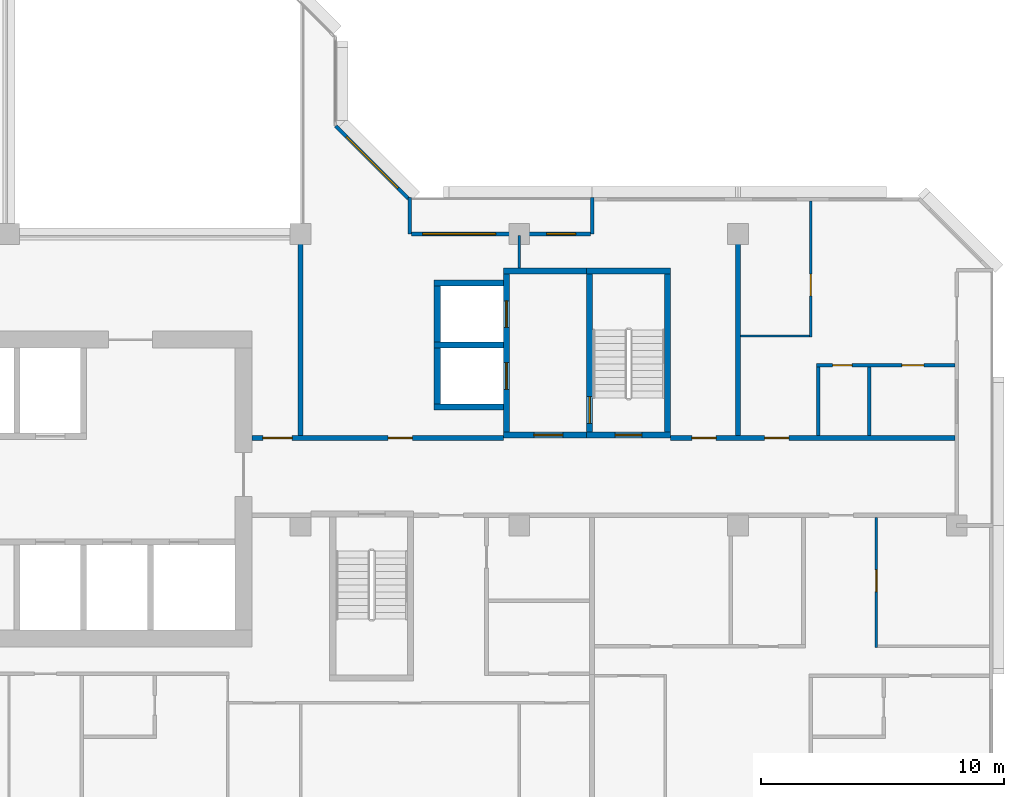
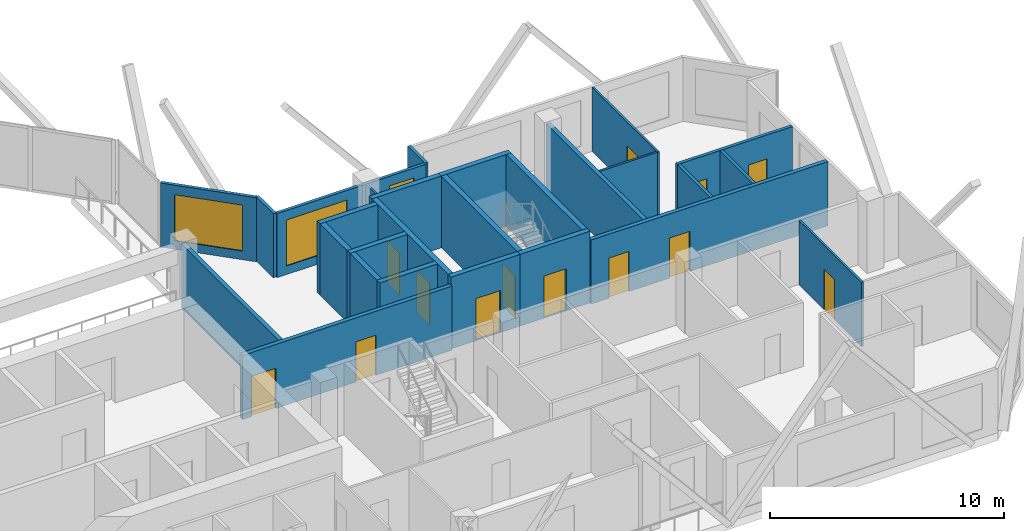
# One storey, part 7 of 15: 27 walls, 13 doors, 3 windows, 16 openings.
"""IFC4 building model written with IfcOpenShell, lengths in metres."""

from ifc_helpers import new_model, si_unit, direction, frame, frame_2d, origin, place, context, subcontext, project, spatial, rectangle, extrude, material, layer, layer_set, type_object, element, fill, save


model = new_model("IFC4")

# Units and contexts
model_context = context("Model", 3, precision=1e-05, world=origin(), true_north=direction((0.0, 1.0)))
body_context = subcontext(model_context, "Body", "Model", "MODEL_VIEW")
ifc_project = project(units=[si_unit("LENGTHUNIT", "METRE"), si_unit("AREAUNIT", "SQUARE_METRE"), si_unit("VOLUMEUNIT", "CUBIC_METRE"), si_unit("PLANEANGLEUNIT", "RADIAN"), si_unit("MASSUNIT", "GRAM", prefix="KILO")], contexts=[model_context])

# Site, building, storey
site_placement = place(None, origin())
site = spatial("IfcSite", under=ifc_project, at=site_placement, CompositionType="ELEMENT")
building_placement = place(site_placement, origin())
building = spatial("IfcBuilding", under=site, at=building_placement, Name="Chenar Terraces", CompositionType="ELEMENT")
storey_placement = place(building_placement, frame((0.0, 0.0, 211.64990234375)))
storey = spatial("IfcBuildingStorey", under=building, at=storey_placement, Name="L49", CompositionType="ELEMENT", Elevation=211.64990234375)

# Wall, opening, door
ifc_material_1 = material(Name="Concrete C60/75", Category="concrete")
ifc_layer_1 = layer(ifc_material_1, 0.25)
ifc_layer_set_1 = layer_set([ifc_layer_1], Name="Concrete C60/75")
wall_type_1 = type_object("IfcWallType", Name="Core wall 250 Concrete C60/75", PredefinedType="SHEAR", material=ifc_layer_set_1)
wall_1_placement = place(storey_placement, frame((47.77490234375, 15.72509765625, 0.0), z_axis=(0.0, 0.0, 1.0), x_axis=(1.0, 0.0, 0.0)))
wall_1 = element("IfcWall", 1, at=wall_1_placement, inside=storey, type_object=wall_type_1, Name="Core wall ST3_S L49", PredefinedType="SHEAR", context=body_context, shape_type="SweptSolid", body=[
    extrude(rectangle(XDim=3.4501953125, YDim=0.25, at=frame_2d((1.72509765625, 0.0))), origin(), (0.0, 0.0, 1.0), 3.75),
])
opening_1_placement = place(wall_1_placement, frame((1.175048828125, 0.0, 0.0)))
opening_1 = element("IfcOpeningElement", 2, at=opening_1_placement, cuts=wall_1, Name="Opening DL49-C8", PredefinedType="OPENING", context=body_context, shape_type="SweptSolid", body=[
    extrude(rectangle(XDim=1.10009765625, YDim=2.199951171875, at=frame_2d((0.550048828125, 1.10009765625))), frame((0.0, 0.135009765625, 0.0), z_axis=(0.0, -1.0, 0.0), x_axis=(1.0, 0.0, 0.0)), (0.0, 0.0, 1.0), 0.27001953125),
])
ifc_material_2 = material(Name="Steel-framed fire-resisting door leaf", Category="steel")
door_type_1 = type_object("IfcDoorType", Name="Stair fire door FD60 1100 x 2200", OperationType="SINGLE_SWING_LEFT", PredefinedType="DOOR", material=ifc_material_2)
door_1_placement = place(opening_1_placement, frame((1.10009765625, 0.0, 0.0), z_axis=(0.0, 0.0, 1.0), x_axis=(-1.0, 0.0, 0.0)))
door_1 = element("IfcDoor", 3, at=door_1_placement, inside=storey, type_object=door_type_1, Name="Stair door DL49-C8", OperationType="SINGLE_SWING_LEFT", OverallHeight=2.199951171875, OverallWidth=1.10009765625, PredefinedType="DOOR", context=body_context, shape_type="SweptSolid", body=[
    extrude(rectangle(XDim=1.10009765625, YDim=2.199951171875, at=frame_2d((0.550048828125, 1.10009765625))), frame((0.0, 0.02490234375, 0.0), z_axis=(0.0, -1.0, 0.0), x_axis=(1.0, 0.0, 0.0)), (0.0, 0.0, 1.0), 0.050048828125),
])
fill(opening_1, door_1)

# Wall
wall_2_placement = place(storey_placement, frame((47.77490234375, 22.47509765625, 0.0), z_axis=(0.0, 0.0, 1.0), x_axis=(1.0, 0.0, 0.0)))
element("IfcWall", 4, at=wall_2_placement, inside=storey, type_object=wall_type_1, Name="Core wall ST3_N L49", PredefinedType="SHEAR", context=body_context, shape_type="SweptSolid", body=[
    extrude(rectangle(XDim=3.4501953125, YDim=0.25, at=frame_2d((1.72509765625, 0.0))), origin(), (0.0, 0.0, 1.0), 3.75),
])

# Wall, opening, door
wall_3_placement = place(storey_placement, frame((47.89990234375, 15.85009765625, 0.0), z_axis=(0.0, 0.0, 1.0), x_axis=(0.0, 1.0, 0.0)))
wall_3 = element("IfcWall", 5, at=wall_3_placement, inside=storey, type_object=wall_type_1, Name="Core wall ST3_W L49", PredefinedType="SHEAR", context=body_context, shape_type="SweptSolid", body=[
    extrude(rectangle(XDim=6.5, YDim=0.25, at=frame_2d((3.25, 0.0))), origin(), (0.0, 0.0, 1.0), 3.75),
])
opening_2_placement = place(wall_3_placement, frame((0.35009765625, 0.0, 0.0)))
opening_2 = element("IfcOpeningElement", 6, at=opening_2_placement, cuts=wall_3, Name="Opening DL49-C11", PredefinedType="OPENING", context=body_context, shape_type="SweptSolid", body=[
    extrude(rectangle(XDim=1.10009765625, YDim=2.199951171875, at=frame_2d((0.550048828125, 1.10009765625))), frame((0.0, 0.135009765625, 0.0), z_axis=(0.0, -1.0, 0.0), x_axis=(1.0, 0.0, 0.0)), (0.0, 0.0, 1.0), 0.27001953125),
])
door_2_placement = place(opening_2_placement, frame((1.10009765625, 0.0, 0.0), z_axis=(0.0, 0.0, 1.0), x_axis=(-1.0, 0.0, 0.0)))
door_2 = element("IfcDoor", 7, at=door_2_placement, inside=storey, type_object=door_type_1, Name="Stair door DL49-C11", OperationType="SINGLE_SWING_RIGHT", OverallHeight=2.199951171875, OverallWidth=1.10009765625, PredefinedType="DOOR", context=body_context, shape_type="SweptSolid", body=[
    extrude(rectangle(XDim=1.10009765625, YDim=2.199951171875, at=frame_2d((0.550048828125, 1.10009765625))), frame((0.0, 0.02490234375, 0.0), z_axis=(0.0, -1.0, 0.0), x_axis=(1.0, 0.0, 0.0)), (0.0, 0.0, 1.0), 0.050048828125),
])
fill(opening_2, door_2)

# Wall
wall_4_placement = place(storey_placement, frame((51.10009765625, 15.85009765625, 0.0), z_axis=(0.0, 0.0, 1.0), x_axis=(0.0, 1.0, 0.0)))
element("IfcWall", 8, at=wall_4_placement, inside=storey, type_object=wall_type_1, Name="Core wall ST3_E L49", PredefinedType="SHEAR", context=body_context, shape_type="SweptSolid", body=[
    extrude(rectangle(XDim=6.5, YDim=0.25, at=frame_2d((3.25, 0.0))), origin(), (0.0, 0.0, 1.0), 3.75),
])

# Wall, opening, door
wall_5_placement = place(storey_placement, frame((44.35009765625, 15.72509765625, 0.0), z_axis=(0.0, 0.0, 1.0), x_axis=(1.0, 0.0, 0.0)))
wall_5 = element("IfcWall", 9, at=wall_5_placement, inside=storey, type_object=wall_type_1, Name="Core wall F3_LS L49", PredefinedType="SHEAR", context=body_context, shape_type="SweptSolid", body=[
    extrude(rectangle(XDim=3.4248046875, YDim=0.25, at=frame_2d((1.71240234375, 0.0))), origin(), (0.0, 0.0, 1.0), 3.75),
])
opening_3_placement = place(wall_5_placement, frame((1.25, 0.0, 0.0)))
opening_3 = element("IfcOpeningElement", 10, at=opening_3_placement, cuts=wall_5, Name="Opening DL49-C10", PredefinedType="OPENING", context=body_context, shape_type="SweptSolid", body=[
    extrude(rectangle(XDim=1.199951171875, YDim=2.199951171875, at=frame_2d((0.60009765625, 1.10009765625))), frame((0.0, 0.135009765625, 0.0), z_axis=(0.0, -1.0, 0.0), x_axis=(1.0, 0.0, 0.0)), (0.0, 0.0, 1.0), 0.27001953125),
])
ifc_material_3 = material(Name="Steel-framed fire-resisting door leaf", Category="steel")
door_type_2 = type_object("IfcDoorType", Name="Lobby fire door FD60 1200 x 2200", OperationType="SINGLE_SWING_LEFT", PredefinedType="DOOR", material=ifc_material_3)
door_3_placement = place(opening_3_placement, origin())
door_3 = element("IfcDoor", 11, at=door_3_placement, inside=storey, type_object=door_type_2, Name="Core door DL49-C10", OperationType="SINGLE_SWING_RIGHT", OverallHeight=2.199951171875, OverallWidth=1.199951171875, PredefinedType="DOOR", context=body_context, shape_type="SweptSolid", body=[
    extrude(rectangle(XDim=1.199951171875, YDim=2.199951171875, at=frame_2d((0.60009765625, 1.10009765625))), frame((0.0, 0.02490234375, 0.0), z_axis=(0.0, -1.0, 0.0), x_axis=(1.0, 0.0, 0.0)), (0.0, 0.0, 1.0), 0.050048828125),
])
fill(opening_3, door_3)

# Wall
wall_6_placement = place(storey_placement, frame((44.35009765625, 22.47509765625, 0.0), z_axis=(0.0, 0.0, 1.0), x_axis=(1.0, 0.0, 0.0)))
element("IfcWall", 12, at=wall_6_placement, inside=storey, type_object=wall_type_1, Name="Core wall F3_LN L49", PredefinedType="SHEAR", context=body_context, shape_type="SweptSolid", body=[
    extrude(rectangle(XDim=3.4248046875, YDim=0.25, at=frame_2d((1.71240234375, 0.0))), origin(), (0.0, 0.0, 1.0), 3.75),
])

# Wall, openings, doors
wall_7_placement = place(storey_placement, frame((44.47509765625, 15.85009765625, 0.0), z_axis=(0.0, 0.0, 1.0), x_axis=(0.0, 1.0, 0.0)))
wall_7 = element("IfcWall", 13, at=wall_7_placement, inside=storey, type_object=wall_type_1, Name="Core wall F3_LW L49", PredefinedType="SHEAR", context=body_context, shape_type="SweptSolid", body=[
    extrude(rectangle(XDim=6.5, YDim=0.25, at=frame_2d((3.25, 0.0))), origin(), (0.0, 0.0, 1.0), 3.75),
])
opening_4_placement = place(wall_7_placement, frame((1.75, 0.0, 0.0)))
opening_4 = element("IfcOpeningElement", 14, at=opening_4_placement, cuts=wall_7, Name="Opening DL49-LD8", PredefinedType="OPENING", context=body_context, shape_type="SweptSolid", body=[
    extrude(rectangle(XDim=1.10009765625, YDim=2.199951171875, at=frame_2d((0.550048828125, 1.10009765625))), frame((0.0, 0.135009765625, 0.0), z_axis=(0.0, -1.0, 0.0), x_axis=(1.0, 0.0, 0.0)), (0.0, 0.0, 1.0), 0.27001953125),
])
opening_5_placement = place(wall_7_placement, frame((4.300048828125, 0.0, 0.0)))
opening_5 = element("IfcOpeningElement", 15, at=opening_5_placement, cuts=wall_7, Name="Opening DL49-LD9", PredefinedType="OPENING", context=body_context, shape_type="SweptSolid", body=[
    extrude(rectangle(XDim=1.10009765625, YDim=2.199951171875, at=frame_2d((0.550048828125, 1.10009765625))), frame((0.0, 0.135009765625, 0.0), z_axis=(0.0, -1.0, 0.0), x_axis=(1.0, 0.0, 0.0)), (0.0, 0.0, 1.0), 0.27001953125),
])
ifc_material_4 = material(Name="Stainless steel", Category="steel")
door_type_3 = type_object("IfcDoorType", Name="Lift landing door 1100 x 2200 sliding", OperationType="DOUBLE_DOOR_SLIDING", PredefinedType="DOOR", material=ifc_material_4)
door_4_placement = place(opening_4_placement, origin())
door_4 = element("IfcDoor", 16, at=door_4_placement, inside=storey, type_object=door_type_3, Name="Landing door F3", OperationType="DOUBLE_DOOR_SLIDING", OverallHeight=2.199951171875, OverallWidth=1.10009765625, PredefinedType="DOOR", context=body_context, shape_type="SweptSolid", body=[
    extrude(rectangle(XDim=1.10009765625, YDim=2.199951171875, at=frame_2d((0.550048828125, 1.10009765625))), frame((0.0, 0.02490234375, 0.0), z_axis=(0.0, -1.0, 0.0), x_axis=(1.0, 0.0, 0.0)), (0.0, 0.0, 1.0), 0.050048828125),
])
fill(opening_4, door_4)
door_5_placement = place(opening_5_placement, origin())
door_5 = element("IfcDoor", 17, at=door_5_placement, inside=storey, type_object=door_type_3, Name="Landing door F4", OperationType="DOUBLE_DOOR_SLIDING", OverallHeight=2.199951171875, OverallWidth=1.10009765625, PredefinedType="DOOR", context=body_context, shape_type="SweptSolid", body=[
    extrude(rectangle(XDim=1.10009765625, YDim=2.199951171875, at=frame_2d((0.550048828125, 1.10009765625))), frame((0.0, 0.02490234375, 0.0), z_axis=(0.0, -1.0, 0.0), x_axis=(1.0, 0.0, 0.0)), (0.0, 0.0, 1.0), 0.050048828125),
])
fill(opening_5, door_5)

# Walls
for number, where, z_axis, x_axis, name in (
    (18, (41.5, 16.875, 0.0), (0.0, 0.0, 1.0), (1.0, 0.0, 0.0), "Core wall F3_SS L49"),
    (19, (41.5, 19.425048828125, 0.0), (0.0, 0.0, 1.0), (1.0, 0.0, 0.0), "Core wall F3_SM L49"),
    (20, (41.5, 21.97509765625, 0.0), (0.0, 0.0, 1.0), (1.0, 0.0, 0.0), "Core wall F4_SN L49"),
):
    element("IfcWall", number, at=place(storey_placement, frame(where, z_axis=z_axis, x_axis=x_axis)), inside=storey, type_object=wall_type_1, Name=name, PredefinedType="SHEAR", context=body_context, shape_type="SweptSolid", body=[
        extrude(rectangle(XDim=2.85009765625, YDim=0.25, at=frame_2d((1.425048828125, 0.0))), origin(), (0.0, 0.0, 1.0), 3.75),
    ])
for number, where, z_axis, x_axis, name in (
    (21, (41.625, 17.0, 0.0), (0.0, 0.0, 1.0), (0.0, 1.0, 0.0), "Core wall F3_SW L49"),
    (22, (41.625, 19.550048828125, 0.0), (0.0, 0.0, 1.0), (0.0, 1.0, 0.0), "Core wall F4_SW L49"),
):
    element("IfcWall", number, at=place(storey_placement, frame(where, z_axis=z_axis, x_axis=x_axis)), inside=storey, type_object=wall_type_1, Name=name, PredefinedType="SHEAR", context=body_context, shape_type="SweptSolid", body=[
        extrude(rectangle(XDim=2.300048828125, YDim=0.25, at=frame_2d((1.14990234375, 0.0))), origin(), (0.0, 0.0, 1.0), 3.75),
    ])

# Wall, openings, doors
ifc_material_5 = material(Name="Gypsum board on steel studs with fire boards", Category="steel")
ifc_layer_2 = layer(ifc_material_5, 0.199951171875)
ifc_layer_set_2 = layer_set([ifc_layer_2], Name="Gypsum board on steel studs with fire boards")
wall_type_2 = type_object("IfcWallType", Name="Corridor wall 200", PredefinedType="PARTITIONING", material=ifc_layer_set_2)
wall_8_placement = place(storey_placement, frame((34.0, 15.60009765625, 0.0), z_axis=(0.0, 0.0, 1.0), x_axis=(1.0, 0.0, 0.0)))
wall_8 = element("IfcWall", 23, at=wall_8_placement, inside=storey, type_object=wall_type_2, Name="Partition L49-060", PredefinedType="PARTITIONING", context=body_context, shape_type="SweptSolid", body=[
    extrude(rectangle(XDim=10.35009765625, YDim=0.199951171875, at=frame_2d((5.175048828125, 0.0))), origin(), (0.0, 0.0, 1.0), 3.35009765625),
])
opening_6_placement = place(wall_8_placement, frame((5.60009765625, 0.0, 0.0)))
opening_6 = element("IfcOpeningElement", 24, at=opening_6_placement, cuts=wall_8, Name="Opening DL49-3", PredefinedType="OPENING", context=body_context, shape_type="SweptSolid", body=[
    extrude(rectangle(XDim=1.0, YDim=2.10009765625, at=frame_2d((0.5, 1.050048828125))), frame((0.0, 0.10986328125, 0.0), z_axis=(0.0, -1.0, 0.0), x_axis=(1.0, 0.0, 0.0)), (0.0, 0.0, 1.0), 0.219970703125),
])
opening_7_placement = place(wall_8_placement, frame((0.449951171875, 0.0, 0.0)))
opening_7 = element("IfcOpeningElement", 25, at=opening_7_placement, cuts=wall_8, Name="Opening DL49-38", PredefinedType="OPENING", context=body_context, shape_type="SweptSolid", body=[
    extrude(rectangle(XDim=1.199951171875, YDim=2.10009765625, at=frame_2d((0.60009765625, 1.050048828125))), frame((0.0, 0.10986328125, 0.0), z_axis=(0.0, -1.0, 0.0), x_axis=(1.0, 0.0, 0.0)), (0.0, 0.0, 1.0), 0.219970703125),
])
ifc_material_6 = material(Name="Steel-framed fire-resisting door leaf", Category="steel")
door_type_4 = type_object("IfcDoorType", Name="Fire door FD60 1000 x 2100", OperationType="SINGLE_SWING_LEFT", PredefinedType="DOOR", material=ifc_material_6)
door_6_placement = place(opening_6_placement, origin())
door_6 = element("IfcDoor", 26, at=door_6_placement, inside=storey, type_object=door_type_4, Name="Door DL49-3", OperationType="SINGLE_SWING_RIGHT", OverallHeight=2.10009765625, OverallWidth=1.0, PredefinedType="DOOR", context=body_context, shape_type="SweptSolid", body=[
    extrude(rectangle(XDim=1.0, YDim=2.10009765625, at=frame_2d((0.5, 1.050048828125))), frame((0.0, 0.02490234375, 0.0), z_axis=(0.0, -1.0, 0.0), x_axis=(1.0, 0.0, 0.0)), (0.0, 0.0, 1.0), 0.050048828125),
])
fill(opening_6, door_6)
ifc_material_7 = material(Name="Steel-framed fire-resisting door leaf", Category="steel")
door_type_5 = type_object("IfcDoorType", Name="Fire door FD60 1200 x 2100", OperationType="SINGLE_SWING_LEFT", PredefinedType="DOOR", material=ifc_material_7)
door_7_placement = place(opening_7_placement, origin())
door_7 = element("IfcDoor", 27, at=door_7_placement, inside=storey, type_object=door_type_5, Name="Door DL49-38", OperationType="SINGLE_SWING_RIGHT", OverallHeight=2.10009765625, OverallWidth=1.199951171875, PredefinedType="DOOR", context=body_context, shape_type="SweptSolid", body=[
    extrude(rectangle(XDim=1.199951171875, YDim=2.10009765625, at=frame_2d((0.60009765625, 1.050048828125))), frame((0.0, 0.02490234375, 0.0), z_axis=(0.0, -1.0, 0.0), x_axis=(1.0, 0.0, 0.0)), (0.0, 0.0, 1.0), 0.050048828125),
])
fill(opening_7, door_7)

# Wall
wall_9_placement = place(storey_placement, frame((36.0, 15.699951171875, 0.0), z_axis=(0.0, 0.0, 1.0), x_axis=(0.0, 1.0, 0.0)))
element("IfcWall", 28, at=wall_9_placement, inside=storey, type_object=wall_type_2, Name="Partition L49-062", PredefinedType="PARTITIONING", context=body_context, shape_type="SweptSolid", body=[
    extrude(rectangle(XDim=8.300048828125, YDim=0.199951171875, at=frame_2d((4.14990234375, 0.0))), origin(), (0.0, 0.0, 1.0), 3.35009765625),
])

# Wall, openings, doors
wall_10_placement = place(storey_placement, frame((51.22509765625, 15.60009765625, 0.0), z_axis=(0.0, 0.0, 1.0), x_axis=(1.0, 0.0, 0.0)))
wall_10 = element("IfcWall", 29, at=wall_10_placement, inside=storey, type_object=wall_type_2, Name="Partition L49-074", PredefinedType="PARTITIONING", context=body_context, shape_type="SweptSolid", body=[
    extrude(rectangle(XDim=11.700927734375, YDim=0.199951171875, at=frame_2d((5.8505859375, 0.0))), origin(), (0.0, 0.0, 1.0), 3.35009765625),
])
opening_8_placement = place(wall_10_placement, frame((3.875, 0.0, 0.0)))
opening_8 = element("IfcOpeningElement", 30, at=opening_8_placement, cuts=wall_10, Name="Opening DL49-7", PredefinedType="OPENING", context=body_context, shape_type="SweptSolid", body=[
    extrude(rectangle(XDim=1.0, YDim=2.10009765625, at=frame_2d((0.5, 1.050048828125))), frame((0.0, 0.10986328125, 0.0), z_axis=(0.0, -1.0, 0.0), x_axis=(1.0, 0.0, 0.0)), (0.0, 0.0, 1.0), 0.219970703125),
])
opening_9_placement = place(wall_10_placement, frame((0.875, 0.0, 0.0)))
opening_9 = element("IfcOpeningElement", 31, at=opening_9_placement, cuts=wall_10, Name="Opening DL49-42", PredefinedType="OPENING", context=body_context, shape_type="SweptSolid", body=[
    extrude(rectangle(XDim=1.0, YDim=2.10009765625, at=frame_2d((0.5, 1.050048828125))), frame((0.0, 0.10986328125, 0.0), z_axis=(0.0, -1.0, 0.0), x_axis=(1.0, 0.0, 0.0)), (0.0, 0.0, 1.0), 0.219970703125),
])
ifc_material_8 = material(Name="Steel-framed fire-resisting door leaf", Category="steel")
door_type_6 = type_object("IfcDoorType", Name="Fire door FD30S 1000 x 2100", OperationType="SINGLE_SWING_LEFT", PredefinedType="DOOR", material=ifc_material_8)
door_8_placement = place(opening_8_placement, origin())
door_8 = element("IfcDoor", 32, at=door_8_placement, inside=storey, type_object=door_type_6, Name="Door DL49-7", OperationType="SINGLE_SWING_LEFT", OverallHeight=2.10009765625, OverallWidth=1.0, PredefinedType="DOOR", context=body_context, shape_type="SweptSolid", body=[
    extrude(rectangle(XDim=1.0, YDim=2.10009765625, at=frame_2d((0.5, 1.050048828125))), frame((0.0, 0.02490234375, 0.0), z_axis=(0.0, -1.0, 0.0), x_axis=(1.0, 0.0, 0.0)), (0.0, 0.0, 1.0), 0.050048828125),
])
fill(opening_8, door_8)
door_9_placement = place(opening_9_placement, origin())
door_9 = element("IfcDoor", 33, at=door_9_placement, inside=storey, type_object=door_type_6, Name="Door DL49-42", OperationType="SINGLE_SWING_RIGHT", OverallHeight=2.10009765625, OverallWidth=1.0, PredefinedType="DOOR", context=body_context, shape_type="SweptSolid", body=[
    extrude(rectangle(XDim=1.0, YDim=2.10009765625, at=frame_2d((0.5, 1.050048828125))), frame((0.0, 0.02490234375, 0.0), z_axis=(0.0, -1.0, 0.0), x_axis=(1.0, 0.0, 0.0)), (0.0, 0.0, 1.0), 0.050048828125),
])
fill(opening_9, door_9)

# Wall, openings, windows
ifc_material_9 = material(Name="Aluminium framed glazing", Category="aluminium")
ifc_layer_3 = layer(ifc_material_9, 0.14990234375)
ifc_layer_set_3 = layer_set([ifc_layer_3], Name="Aluminium framed glazing")
wall_type_3 = type_object("IfcWallType", Name="Glazed loggia back wall 150", PredefinedType="SOLIDWALL", material=ifc_layer_set_3)
wall_11_placement = place(storey_placement, frame((47.925048828125, 24.0, 0.0), z_axis=(0.0, 0.0, 1.0), x_axis=(-1.0, 0.0, 0.0)))
wall_11 = element("IfcWall", 34, at=wall_11_placement, inside=storey, type_object=wall_type_3, Name="Glazed loggia back wall", PredefinedType="SOLIDWALL", context=body_context, shape_type="SweptSolid", body=[
    extrude(rectangle(XDim=7.35009765625, YDim=0.14990234375, at=frame_2d((3.675048828125, 0.0))), origin(), (0.0, 0.0, 1.0), 3.35009765625),
])
opening_10_placement = place(wall_11_placement, frame((0.60009765625, 0.0, 0.449951171875)))
opening_10 = element("IfcOpeningElement", 35, at=opening_10_placement, cuts=wall_11, Name="Opening W120x240", PredefinedType="OPENING", context=body_context, shape_type="SweptSolid", body=[
    extrude(rectangle(XDim=1.199951171875, YDim=2.39990234375, at=frame_2d((0.60009765625, 1.199951171875))), frame((0.0, 0.0849609375, 0.0), z_axis=(0.0, -1.0, 0.0), x_axis=(1.0, 0.0, 0.0)), (0.0, 0.0, 1.0), 0.169921875),
])
opening_11_placement = place(wall_11_placement, frame((3.89990234375, 0.0, 0.449951171875)))
opening_11 = element("IfcOpeningElement", 36, at=opening_11_placement, cuts=wall_11, Name="Opening W300x240", PredefinedType="OPENING", context=body_context, shape_type="SweptSolid", body=[
    extrude(rectangle(XDim=3.0, YDim=2.39990234375, at=frame_2d((1.5, 1.199951171875))), frame((0.0, 0.0849609375, 0.0), z_axis=(0.0, -1.0, 0.0), x_axis=(1.0, 0.0, 0.0)), (0.0, 0.0, 1.0), 0.169921875),
])
ifc_material_10 = material(Name="Low emissivity double glazing, aluminium frame", Category="aluminium")
window_type_1 = type_object("IfcWindowType", Name="Fixed light 1200 x 2400", PartitioningType="SINGLE_PANEL", PredefinedType="WINDOW", material=ifc_material_10)
window_1_placement = place(opening_10_placement, origin())
window_1 = element("IfcWindow", 37, at=window_1_placement, inside=storey, type_object=window_type_1, Name="Window", OverallHeight=2.39990234375, OverallWidth=1.199951171875, PartitioningType="SINGLE_PANEL", PredefinedType="WINDOW", context=body_context, shape_type="SweptSolid", body=[
    extrude(rectangle(XDim=1.199951171875, YDim=2.39990234375, at=frame_2d((0.60009765625, 1.199951171875))), frame((0.0, 0.030029296875, 0.0), z_axis=(0.0, -1.0, 0.0), x_axis=(1.0, 0.0, 0.0)), (0.0, 0.0, 1.0), 0.06005859375),
])
fill(opening_10, window_1)
ifc_material_11 = material(Name="Low emissivity double glazing, aluminium frame", Category="aluminium")
window_type_2 = type_object("IfcWindowType", Name="Fixed light 3000 x 2400", PartitioningType="SINGLE_PANEL", PredefinedType="WINDOW", material=ifc_material_11)
window_2_placement = place(opening_11_placement, origin())
window_2 = element("IfcWindow", 38, at=window_2_placement, inside=storey, type_object=window_type_2, Name="Window", OverallHeight=2.39990234375, OverallWidth=3.0, PartitioningType="SINGLE_PANEL", PredefinedType="WINDOW", context=body_context, shape_type="SweptSolid", body=[
    extrude(rectangle(XDim=3.0, YDim=2.39990234375, at=frame_2d((1.5, 1.199951171875))), frame((0.0, 0.030029296875, 0.0), z_axis=(0.0, -1.0, 0.0), x_axis=(1.0, 0.0, 0.0)), (0.0, 0.0, 1.0), 0.06005859375),
])
fill(opening_11, window_2)

# Walls
ifc_material_12 = material(Name="Gypsum board on steel studs", Category="steel")
ifc_layer_4 = layer(ifc_material_12, 0.10009765625)
ifc_layer_set_4 = layer_set([ifc_layer_4], Name="Gypsum board on steel studs")
wall_type_4 = type_object("IfcWallType", Name="Gypsum partition 100", PredefinedType="PARTITIONING", material=ifc_layer_set_4)
wall_12_placement = place(storey_placement, frame((45.0, 22.60009765625, 0.0), z_axis=(0.0, 0.0, 1.0), x_axis=(0.0, 1.0, 0.0)))
element("IfcWall", 39, at=wall_12_placement, inside=storey, type_object=wall_type_4, Name="Partition L49-068", PredefinedType="PARTITIONING", context=body_context, shape_type="SweptSolid", body=[
    extrude(rectangle(XDim=1.325927734375, YDim=0.10009765625, at=frame_2d((0.6630859375, 0.0))), origin(), (0.0, 0.0, 1.0), 3.35009765625),
])
wall_13_placement = place(storey_placement, frame((54.10009765625, 19.800048828125, 0.0), z_axis=(0.0, 0.0, 1.0), x_axis=(1.0, 0.0, 0.0)))
element("IfcWall", 40, at=wall_13_placement, inside=storey, type_object=wall_type_4, Name="Partition L49-077", PredefinedType="PARTITIONING", context=body_context, shape_type="SweptSolid", body=[
    extrude(rectangle(XDim=2.849853515625, YDim=0.10009765625, at=frame_2d((1.4248046875, 0.0))), origin(), (0.0, 0.0, 1.0), 3.35009765625),
])

# Wall, opening, door
wall_14_placement = place(storey_placement, frame((57.0, 19.75, 0.0), z_axis=(0.0, 0.0, 1.0), x_axis=(0.0, 1.0, 0.0)))
wall_14 = element("IfcWall", 41, at=wall_14_placement, inside=storey, type_object=wall_type_4, Name="Partition L49-081", PredefinedType="PARTITIONING", context=body_context, shape_type="SweptSolid", body=[
    extrude(rectangle(XDim=5.60009765625, YDim=0.10009765625, at=frame_2d((2.800048828125, 0.0))), origin(), (0.0, 0.0, 1.0), 3.35009765625),
])
opening_12_placement = place(wall_14_placement, frame((1.699951171875, 0.0, 0.0)))
opening_12 = element("IfcOpeningElement", 42, at=opening_12_placement, cuts=wall_14, Name="Opening DL49-5", PredefinedType="OPENING", context=body_context, shape_type="SweptSolid", body=[
    extrude(rectangle(XDim=0.89990234375, YDim=2.10009765625, at=frame_2d((0.449951171875, 1.050048828125))), frame((0.0, 0.06005859375, 0.0), z_axis=(0.0, -1.0, 0.0), x_axis=(1.0, 0.0, 0.0)), (0.0, 0.0, 1.0), 0.1201171875),
])
ifc_material_13 = material(Name="Veneered timber door leaf", Category="wood")
door_type_7 = type_object("IfcDoorType", Name="Door 900 x 2100", OperationType="SINGLE_SWING_LEFT", PredefinedType="DOOR", material=ifc_material_13)
door_10_placement = place(opening_12_placement, origin())
door_10 = element("IfcDoor", 43, at=door_10_placement, inside=storey, type_object=door_type_7, Name="Door DL49-5", OperationType="SINGLE_SWING_LEFT", OverallHeight=2.10009765625, OverallWidth=0.89990234375, PredefinedType="DOOR", context=body_context, shape_type="SweptSolid", body=[
    extrude(rectangle(XDim=0.89990234375, YDim=2.10009765625, at=frame_2d((0.449951171875, 1.050048828125))), frame((0.0, 0.02490234375, 0.0), z_axis=(0.0, -1.0, 0.0), x_axis=(1.0, 0.0, 0.0)), (0.0, 0.0, 1.0), 0.050048828125),
])
fill(opening_12, door_10)

wall_15_placement = place(storey_placement, frame((59.699951171875, 6.97509765625, 0.0), z_axis=(0.0, 0.0, 1.0), x_axis=(0.0, 1.0, 0.0)))
wall_15 = element("IfcWall", 44, at=wall_15_placement, inside=storey, type_object=wall_type_4, Name="Partition L49-086", PredefinedType="PARTITIONING", context=body_context, shape_type="SweptSolid", body=[
    extrude(rectangle(XDim=5.349853515625, YDim=0.10009765625, at=frame_2d((2.6748046875, 0.0))), origin(), (0.0, 0.0, 1.0), 3.35009765625),
])
opening_13_placement = place(wall_15_placement, frame((2.300048828125, 0.0, 0.0)))
opening_13 = element("IfcOpeningElement", 45, at=opening_13_placement, cuts=wall_15, Name="Opening DL49-14", PredefinedType="OPENING", context=body_context, shape_type="SweptSolid", body=[
    extrude(rectangle(XDim=0.89990234375, YDim=2.10009765625, at=frame_2d((0.449951171875, 1.050048828125))), frame((0.0, 0.06005859375, 0.0), z_axis=(0.0, -1.0, 0.0), x_axis=(1.0, 0.0, 0.0)), (0.0, 0.0, 1.0), 0.1201171875),
])
door_11_placement = place(opening_13_placement, frame((0.89990234375, 0.0, 0.0), z_axis=(0.0, 0.0, 1.0), x_axis=(-1.0, 0.0, 0.0)))
door_11 = element("IfcDoor", 46, at=door_11_placement, inside=storey, type_object=door_type_7, Name="Door DL49-14", OperationType="SINGLE_SWING_RIGHT", OverallHeight=2.10009765625, OverallWidth=0.89990234375, PredefinedType="DOOR", context=body_context, shape_type="SweptSolid", body=[
    extrude(rectangle(XDim=0.89990234375, YDim=2.10009765625, at=frame_2d((0.449951171875, 1.050048828125))), frame((0.0, 0.02490234375, 0.0), z_axis=(0.0, -1.0, 0.0), x_axis=(1.0, 0.0, 0.0)), (0.0, 0.0, 1.0), 0.050048828125),
])
fill(opening_13, door_11)

# Walls
ifc_material_14 = material(Name="Terracotta cladding on insulated backing", Category="masonry")
ifc_layer_5 = layer(ifc_material_14, 0.14990234375)
ifc_layer_set_5 = layer_set([ifc_layer_5], Name="Terracotta cladding on insulated backing")
wall_type_5 = type_object("IfcWallType", Name="Loggia return wall 150", PredefinedType="SOLIDWALL", material=ifc_layer_set_5)
for number, where, z_axis, x_axis, name in (
    (47, (48.0, 25.5, 0.0), (0.0, 0.0, 1.0), (0.0, -1.0, 0.0), "Loggia return wall"),
    (48, (40.5, 25.5, 0.0), (0.0, 0.0, 1.0), (0.0, -1.0, 0.0), "Loggia return wall"),
):
    element("IfcWall", number, at=place(storey_placement, frame(where, z_axis=z_axis, x_axis=x_axis)), inside=storey, type_object=wall_type_5, Name=name, PredefinedType="SOLIDWALL", context=body_context, shape_type="SweptSolid", body=[
        extrude(rectangle(XDim=1.5, YDim=0.14990234375, at=frame_2d((0.75, 0.0))), origin(), (0.0, 0.0, 1.0), 3.35009765625),
    ])

# Wall, opening, window
ifc_material_15 = material(Name="Terracotta cladding on insulated backing", Category="masonry")
ifc_layer_6 = layer(ifc_material_15, 0.14990234375)
ifc_layer_set_6 = layer_set([ifc_layer_6], Name="Terracotta cladding on insulated backing")
wall_type_6 = type_object("IfcWallType", Name="Terracotta rainscreen wall 150", PredefinedType="SOLIDWALL", material=ifc_layer_set_6)
wall_16_placement = place(storey_placement, frame((40.447021484375, 25.447021484375, 0.0), z_axis=(0.0, 0.0, 1.0), x_axis=(-0.707106781187, 0.707106781187, 0.0)))
wall_16 = element("IfcWall", 49, at=wall_16_placement, inside=storey, type_object=wall_type_6, Name="Terracotta rainscreen wall", PredefinedType="SOLIDWALL", context=body_context, shape_type="SweptSolid", body=[
    extrude(rectangle(XDim=4.24267578125, YDim=0.14990234375, at=frame_2d((2.121337890625, 0.0))), origin(), (0.0, 0.0, 1.0), 3.35009765625),
])
opening_14_placement = place(wall_16_placement, frame((0.621337890625, 0.0, 0.449951171875)))
opening_14 = element("IfcOpeningElement", 50, at=opening_14_placement, cuts=wall_16, Name="Opening W300x240", PredefinedType="OPENING", context=body_context, shape_type="SweptSolid", body=[
    extrude(rectangle(XDim=3.0, YDim=2.39990234375, at=frame_2d((1.5, 1.199951171875))), frame((0.0, 0.0849609375, 0.0), z_axis=(0.0, -1.0, 0.0), x_axis=(1.0, 0.0, 0.0)), (0.0, 0.0, 1.0), 0.169921875),
])
window_3_placement = place(opening_14_placement, origin())
window_3 = element("IfcWindow", 51, at=window_3_placement, inside=storey, type_object=window_type_2, Name="Window", OverallHeight=2.39990234375, OverallWidth=3.0, PartitioningType="SINGLE_PANEL", PredefinedType="WINDOW", context=body_context, shape_type="SweptSolid", body=[
    extrude(rectangle(XDim=3.0, YDim=2.39990234375, at=frame_2d((1.5, 1.199951171875))), frame((0.0, 0.030029296875, 0.0), z_axis=(0.0, -1.0, 0.0), x_axis=(1.0, 0.0, 0.0)), (0.0, 0.0, 1.0), 0.06005859375),
])
fill(opening_14, window_3)

# Wall
ifc_material_16 = material(Name="Twin gypsum board on steel studs with mineral wool", Category="steel")
ifc_layer_7 = layer(ifc_material_16, 0.199951171875)
ifc_layer_set_7 = layer_set([ifc_layer_7], Name="Twin gypsum board on steel studs with mineral wool")
wall_type_7 = type_object("IfcWallType", Name="Unit demising wall 200", PredefinedType="PARTITIONING", material=ifc_layer_set_7)
wall_17_placement = place(storey_placement, frame((54.0, 15.699951171875, 0.0), z_axis=(0.0, 0.0, 1.0), x_axis=(0.0, 1.0, 0.0)))
element("IfcWall", 52, at=wall_17_placement, inside=storey, type_object=wall_type_7, Name="Partition L49-076", PredefinedType="PARTITIONING", context=body_context, shape_type="SweptSolid", body=[
    extrude(rectangle(XDim=8.300048828125, YDim=0.199951171875, at=frame_2d((4.14990234375, 0.0))), origin(), (0.0, 0.0, 1.0), 3.35009765625),
])

# Wall, openings, doors
ifc_material_17 = material(Name="Moisture-resistant gypsum board on steel studs", Category="steel")
ifc_layer_8 = layer(ifc_material_17, 0.14990234375)
ifc_layer_set_8 = layer_set([ifc_layer_8], Name="Moisture-resistant gypsum board on steel studs")
wall_type_8 = type_object("IfcWallType", Name="Wet-room partition 150", PredefinedType="PARTITIONING", material=ifc_layer_set_8)
wall_18_placement = place(storey_placement, frame((57.22509765625, 18.60009765625, 0.0), z_axis=(0.0, 0.0, 1.0), x_axis=(1.0, 0.0, 0.0)))
wall_18 = element("IfcWall", 53, at=wall_18_placement, inside=storey, type_object=wall_type_8, Name="Partition L49-083", PredefinedType="PARTITIONING", context=body_context, shape_type="SweptSolid", body=[
    extrude(rectangle(XDim=5.700927734375, YDim=0.14990234375, at=frame_2d((2.8505859375, 0.0))), origin(), (0.0, 0.0, 1.0), 3.35009765625),
])
opening_15_placement = place(wall_18_placement, frame((0.675048828125, 0.0, 0.0)))
opening_15 = element("IfcOpeningElement", 54, at=opening_15_placement, cuts=wall_18, Name="Opening DL49-4", PredefinedType="OPENING", context=body_context, shape_type="SweptSolid", body=[
    extrude(rectangle(XDim=0.800048828125, YDim=2.10009765625, at=frame_2d((0.39990234375, 1.050048828125))), frame((0.0, 0.0849609375, 0.0), z_axis=(0.0, -1.0, 0.0), x_axis=(1.0, 0.0, 0.0)), (0.0, 0.0, 1.0), 0.169921875),
])
opening_16_placement = place(wall_18_placement, frame((3.52490234375, 0.0, 0.0)))
opening_16 = element("IfcOpeningElement", 55, at=opening_16_placement, cuts=wall_18, Name="Opening DL49-6", PredefinedType="OPENING", context=body_context, shape_type="SweptSolid", body=[
    extrude(rectangle(XDim=0.89990234375, YDim=2.10009765625, at=frame_2d((0.449951171875, 1.050048828125))), frame((0.0, 0.0849609375, 0.0), z_axis=(0.0, -1.0, 0.0), x_axis=(1.0, 0.0, 0.0)), (0.0, 0.0, 1.0), 0.169921875),
])
ifc_material_18 = material(Name="Veneered timber door leaf", Category="wood")
door_type_8 = type_object("IfcDoorType", Name="Door 800 x 2100", OperationType="SINGLE_SWING_LEFT", PredefinedType="DOOR", material=ifc_material_18)
door_12_placement = place(opening_15_placement, frame((0.800048828125, 0.0, 0.0), z_axis=(0.0, 0.0, 1.0), x_axis=(-1.0, 0.0, 0.0)))
door_12 = element("IfcDoor", 56, at=door_12_placement, inside=storey, type_object=door_type_8, Name="Door DL49-4", OperationType="SINGLE_SWING_RIGHT", OverallHeight=2.10009765625, OverallWidth=0.800048828125, PredefinedType="DOOR", context=body_context, shape_type="SweptSolid", body=[
    extrude(rectangle(XDim=0.800048828125, YDim=2.10009765625, at=frame_2d((0.39990234375, 1.050048828125))), frame((0.0, 0.02490234375, 0.0), z_axis=(0.0, -1.0, 0.0), x_axis=(1.0, 0.0, 0.0)), (0.0, 0.0, 1.0), 0.050048828125),
])
fill(opening_15, door_12)
door_13_placement = place(opening_16_placement, frame((0.89990234375, 0.0, 0.0), z_axis=(0.0, 0.0, 1.0), x_axis=(-1.0, 0.0, 0.0)))
door_13 = element("IfcDoor", 57, at=door_13_placement, inside=storey, type_object=door_type_7, Name="Door DL49-6", OperationType="SINGLE_SWING_RIGHT", OverallHeight=2.10009765625, OverallWidth=0.89990234375, PredefinedType="DOOR", context=body_context, shape_type="SweptSolid", body=[
    extrude(rectangle(XDim=0.89990234375, YDim=2.10009765625, at=frame_2d((0.449951171875, 1.050048828125))), frame((0.0, 0.02490234375, 0.0), z_axis=(0.0, -1.0, 0.0), x_axis=(1.0, 0.0, 0.0)), (0.0, 0.0, 1.0), 0.050048828125),
])
fill(opening_16, door_13)

# Walls
for number, where, z_axis, x_axis, name in (
    (58, (57.300048828125, 15.699951171875, 0.0), (0.0, 0.0, 1.0), (0.0, 1.0, 0.0), "Partition L49-084"),
    (59, (59.39990234375, 15.699951171875, 0.0), (0.0, 0.0, 1.0), (0.0, 1.0, 0.0), "Partition L49-085"),
):
    element("IfcWall", number, at=place(storey_placement, frame(where, z_axis=z_axis, x_axis=x_axis)), inside=storey, type_object=wall_type_8, Name=name, PredefinedType="PARTITIONING", context=body_context, shape_type="SweptSolid", body=[
        extrude(rectangle(XDim=2.824951171875, YDim=0.14990234375, at=frame_2d((1.41259765625, 0.0))), origin(), (0.0, 0.0, 1.0), 3.35009765625),
    ])

save(model, "model.ifc")
